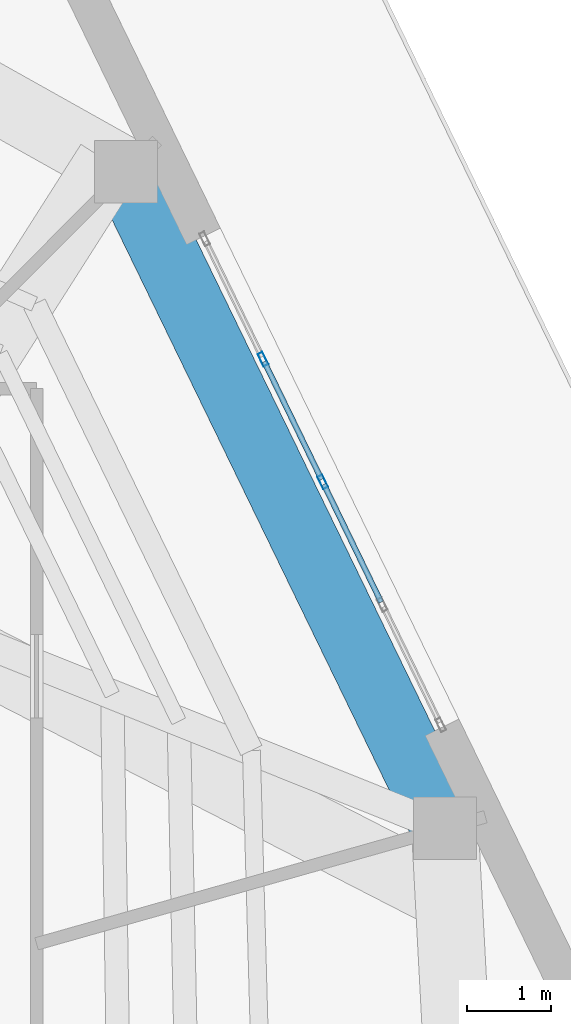
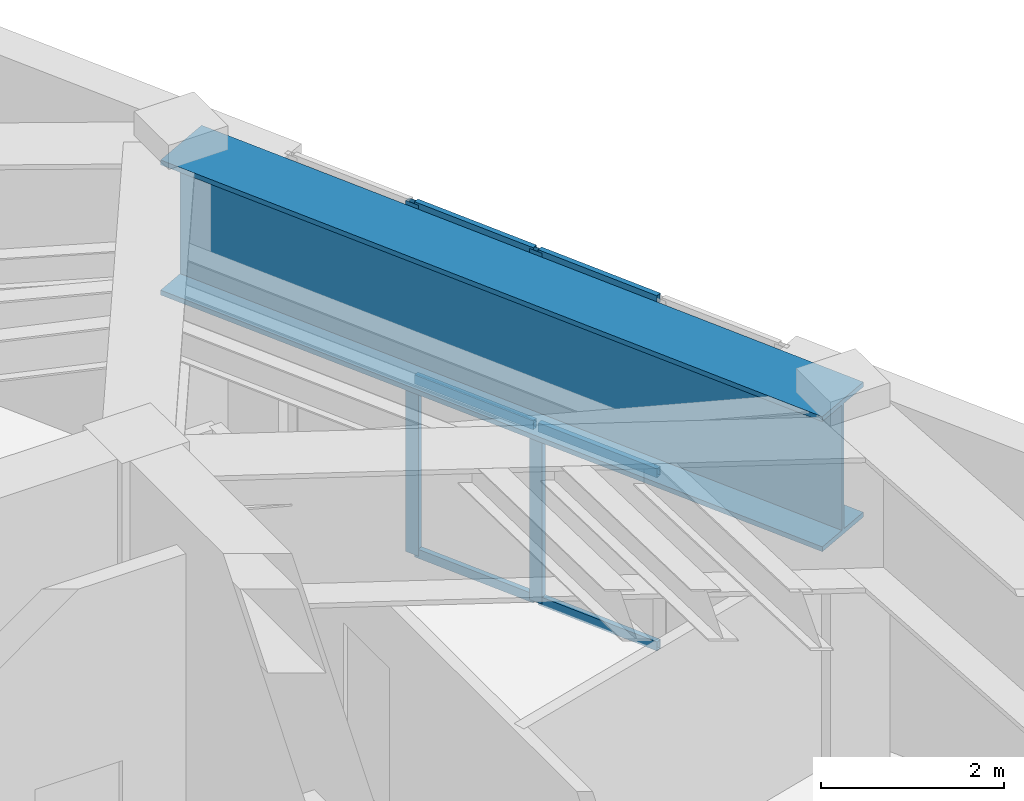
# One storey, part 14 of 24: 8 members, 1 beam, 1 element without a shape of its own.
"""IFC4 building model written with IfcOpenShell, lengths in metres."""

import ifcopenshell
import ifcopenshell.guid

model = None  # the IFC model being written
_history = None  # IfcOwnerHistory: only IFC2X3 demands one
_inside = {}  # id of a spatial element -> (the spatial element, [elements in it])
_under = {}  # id of a project, library or spatial element -> (it, [spatial elements below it])
_declared = {}  # id of a project -> (the project, [libraries it declares])
_typed = {}  # id of a type object -> (the type object, [elements of that type])
_made_of = {}  # id of a material, layer set ... -> (it, [elements and type objects made of it])


def new_model(schema):
    """Start an empty IFC model of exactly this schema.

    Asked for "IFC4X3", IfcOpenShell would pick the latest addendum, in which some entities
    have other attributes; the version numbers below select the first issue.
    IFC2X3 requires an IfcOwnerHistory on every rooted entity: one is made here for all.
    """
    global model, _history
    if schema == "IFC4X3":
        model = ifcopenshell.file(schema_version=(4, 3, 0, 0))
    else:
        model = ifcopenshell.file(schema=schema)
    _inside.clear()
    _under.clear()
    _declared.clear()
    _typed.clear()
    _made_of.clear()
    _history = None
    if model.schema == "IFC2X3":
        org = make("IfcOrganization", Name="unknown")
        user = make(
            "IfcPersonAndOrganization",
            ThePerson=make("IfcPerson", FamilyName="unknown"),
            TheOrganization=org,
        )
        app = make(
            "IfcApplication",
            ApplicationDeveloper=org,
            Version="unknown",
            ApplicationFullName="unknown",
            ApplicationIdentifier="unknown",
        )
        _history = make(
            "IfcOwnerHistory",
            OwningUser=user,
            OwningApplication=app,
            ChangeAction="ADDED",
            CreationDate=0,
        )
    return model


def make(cls, **values):
    """One entity of the class cls with the attributes given. An attribute that is None is left unset."""
    return model.create_entity(
        cls, **{name: value for name, value in values.items() if value is not None}
    )


def rooted(cls, **values):
    """An entity with a GlobalId (a new one), such as an element, a storey or a relation."""
    return make(cls, GlobalId=ifcopenshell.guid.new(), OwnerHistory=_history, **values)


def si_unit(unit_type, name, prefix=None):
    """IfcSIUnit, for example si_unit("LENGTHUNIT", "METRE", prefix="MILLI")."""
    return make("IfcSIUnit", UnitType=unit_type, Prefix=prefix, Name=name)


def assignment(units):
    """IfcUnitAssignment: the units of a project."""
    return None if units is None else make("IfcUnitAssignment", Units=units)


def point(xyz):
    """IfcCartesianPoint."""
    return None if xyz is None else make("IfcCartesianPoint", Coordinates=xyz)


def direction(xyz):
    """IfcDirection."""
    return None if xyz is None else make("IfcDirection", DirectionRatios=xyz)


def frame(location, z_axis=None, x_axis=None):
    """IfcAxis2Placement3D, a coordinate frame: its origin and axes. An axis left out is left unset."""
    return make(
        "IfcAxis2Placement3D",
        Location=point(location),
        Axis=direction(z_axis),
        RefDirection=direction(x_axis),
    )


def frame_2d(location, x_axis=None):
    """IfcAxis2Placement2D, a coordinate frame in the plane: its origin and x axis."""
    return make(
        "IfcAxis2Placement2D", Location=point(location), RefDirection=direction(x_axis)
    )


def origin():
    """The frame at (0, 0, 0) with its axes left unset."""
    return frame((0.0, 0.0, 0.0))


def origin_2d():
    """The frame at (0, 0) in the plane with its x axis left unset."""
    return frame_2d((0.0, 0.0))


def place(relative_to, where):
    """IfcLocalPlacement: puts the frame where relative to a parent placement (None: the world)."""
    return make(
        "IfcLocalPlacement", PlacementRelTo=relative_to, RelativePlacement=where
    )


def context(
    kind, dimensions, precision=None, world=None, true_north=None, identifier=None
):
    """IfcGeometricRepresentationContext, for example the 3D "Model" context."""
    return make(
        "IfcGeometricRepresentationContext",
        ContextIdentifier=identifier,
        ContextType=kind,
        CoordinateSpaceDimension=dimensions,
        Precision=precision,
        WorldCoordinateSystem=world,
        TrueNorth=true_north,
    )


def subcontext(parent, identifier, kind, view, scale=None):
    """IfcGeometricRepresentationSubContext, for example "Body" below "Model"."""
    return make(
        "IfcGeometricRepresentationSubContext",
        ContextIdentifier=identifier,
        ContextType=kind,
        ParentContext=parent,
        TargetScale=scale,
        TargetView=view,
    )


def project(units=None, contexts=None):
    """IfcProject with its units and contexts."""
    return rooted(
        "IfcProject",
        Name="project",
        RepresentationContexts=contexts,
        UnitsInContext=assignment(units),
    )


def spatial(cls, under=None, at=None, **own):
    """A site, building, storey or space (cls), placed at a placement, below another one or the project."""
    s = rooted(cls, ObjectPlacement=at, **own)
    if under is not None:
        _under.setdefault(under.id(), (under, []))[1].append(s)
    return s


def profile(cls, at=None, kind="AREA", **sizes):
    """A parametric profile (cls). Its sizes go by their IFC names, for example OverallWidth=200.0."""
    return make(cls, ProfileType=kind, Position=at, **sizes)


def hollow_rectangle(**sizes):
    """IfcRectangleHollowProfileDef."""
    return profile("IfcRectangleHollowProfileDef", **sizes)


def i_section(**sizes):
    """IfcIShapeProfileDef."""
    return profile("IfcIShapeProfileDef", **sizes)


def extrude(swept, where, along, depth):
    """IfcExtrudedAreaSolid: the profile swept, set in the frame where, extruded along a direction by depth."""
    return make(
        "IfcExtrudedAreaSolid",
        SweptArea=swept,
        Position=where,
        ExtrudedDirection=direction(along),
        Depth=depth,
    )


def shape(context_of_items, identifier, shape_type, items):
    """IfcShapeRepresentation: the items that make up one representation, for example the "Body"."""
    return make(
        "IfcShapeRepresentation",
        ContextOfItems=context_of_items,
        RepresentationIdentifier=identifier,
        RepresentationType=shape_type,
        Items=items,
    )


def material(Name=None, Category=None):
    """IfcMaterial."""
    return make("IfcMaterial", Name=Name, Category=Category)


def layer(
    of_material, thickness, ventilated=None, Name=None, Category=None, Priority=None
):
    """IfcMaterialLayer: one layer of a wall or slab, of a material (None: an air gap)."""
    return make(
        "IfcMaterialLayer",
        Material=of_material,
        LayerThickness=thickness,
        IsVentilated=ventilated,
        Name=Name,
        Category=Category,
        Priority=Priority,
    )


def layer_set(layers, Name=None):
    """IfcMaterialLayerSet."""
    return make("IfcMaterialLayerSet", MaterialLayers=layers, LayerSetName=Name)


def material_profile(
    of_material, cross_section, Name=None, Category=None, Priority=None
):
    """IfcMaterialProfile: a cross section and its material."""
    return make(
        "IfcMaterialProfile",
        Name=Name,
        Material=of_material,
        Profile=cross_section,
        Priority=Priority,
        Category=Category,
    )


def profile_set(profiles, Name=None, composite=None):
    """IfcMaterialProfileSet."""
    return make(
        "IfcMaterialProfileSet",
        Name=Name,
        MaterialProfiles=profiles,
        CompositeProfile=composite,
    )


def made_of(thing, what):
    """Note that an element or type object is made of a material, layer set ...; save() writes the relation."""
    if what is not None:
        _made_of.setdefault(what.id(), (what, []))[1].append(thing)
    return thing


def type_object(cls, material=None, **own):
    """A type object (cls), such as IfcWallType, which elements share."""
    return made_of(rooted(cls, **own), material)


def element(
    cls,
    number,
    at=None,
    inside=None,
    cuts=None,
    type_object=None,
    material=None,
    context=None,
    identifier="Body",
    shape_type=None,
    held_by="IfcProductDefinitionShape",
    body=None,
    shapes=None,
    **own,
):
    """One element of the class cls, such as IfcWall. Its Tag is "e" and its number.

    at: its placement. inside: the storey or other place that contains it. cuts: it is an
    opening in that element (IfcRelVoidsElement). A single representation is given by context,
    identifier, shape_type and body (its items); several are given by shapes. held_by: the class
    of the entity that holds the representations. save() writes the other relations.
    """
    e = rooted(cls, Tag="e%d" % number, ObjectPlacement=at, **own)
    if body is not None:
        shapes = [shape(context, identifier, shape_type, body)]
    if shapes is not None:
        e.Representation = make(held_by, Representations=shapes)
    if inside is not None:
        _inside.setdefault(inside.id(), (inside, []))[1].append(e)
    if cuts is not None:
        rooted(
            "IfcRelVoidsElement", RelatingBuildingElement=cuts, RelatedOpeningElement=e
        )
    if type_object is not None:
        _typed.setdefault(type_object.id(), (type_object, []))[1].append(e)
    return made_of(e, material)


def aggregate(whole, parts):
    """IfcRelAggregates: a whole, such as a stair, and the parts it consists of."""
    return rooted("IfcRelAggregates", RelatingObject=whole, RelatedObjects=parts)


def save(model, path):
    """Write the relations noted so far, then the file.

    IfcRelAggregates (storeys below a building ...), IfcRelContainedInSpatialStructure (elements
    in a storey), IfcRelDefinesByType, IfcRelAssociatesMaterial and IfcRelDeclares: one each for
    every whole, place, type object, material and project.
    """
    for whole, parts in _under.values():
        aggregate(whole, parts)
    for where, things in _inside.values():
        rooted(
            "IfcRelContainedInSpatialStructure",
            RelatedElements=things,
            RelatingStructure=where,
        )
    for kind, things in _typed.values():
        rooted("IfcRelDefinesByType", RelatedObjects=things, RelatingType=kind)
    for what, things in _made_of.values():
        rooted("IfcRelAssociatesMaterial", RelatedObjects=things, RelatingMaterial=what)
    for by, libraries in _declared.values():
        rooted("IfcRelDeclares", RelatingContext=by, RelatedDefinitions=libraries)
    model.write(path)


model = new_model("IFC4")

# Units and contexts
model_context = context("Model", 3, precision=1e-05, world=origin(), true_north=direction((0.0, 1.0)))
body_context = subcontext(model_context, "Body", "Model", "MODEL_VIEW")
ifc_project = project(units=[si_unit("LENGTHUNIT", "METRE"), si_unit("AREAUNIT", "SQUARE_METRE"), si_unit("VOLUMEUNIT", "CUBIC_METRE"), si_unit("PLANEANGLEUNIT", "RADIAN"), si_unit("MASSUNIT", "GRAM", prefix="KILO")], contexts=[model_context])

# Site, building, storey
site_placement = place(None, origin())
site = spatial("IfcSite", under=ifc_project, at=site_placement, CompositionType="ELEMENT")
building_placement = place(site_placement, origin())
building = spatial("IfcBuilding", under=site, at=building_placement, Name="Kilnhurst Terrace Hotel", CompositionType="ELEMENT")
storey_placement = place(building_placement, frame((0.0, 0.0, 305.39990234375)))
storey = spatial("IfcBuildingStorey", under=building, at=storey_placement, Name="L76", CompositionType="ELEMENT", Elevation=305.39990234375)

# Curtain wall, members
ifc_material_1 = material(Name="Anodized Aluminium Alloy 6063-T6 and Low-E Glass", Category="aluminium")
ifc_layer = layer(ifc_material_1, 0.219970703125, Name="Anodized Aluminium Alloy 6063-T6 and Low-E Glass")
ifc_layer_set = layer_set([ifc_layer], Name="Anodized Aluminium Alloy 6063-T6 and Low-E Glass")
curtain_wall_type = type_object("IfcCurtainWallType", Name="CW-OBS-CROWN", PredefinedType="NOTDEFINED", material=ifc_layer_set)
curtain_wall_placement = place(storey_placement, origin())
curtain_wall = element("IfcCurtainWall", 1, at=curtain_wall_placement, inside=storey, type_object=curtain_wall_type, Name="L76 Curtain Wall CW-L76-F3-1", PredefinedType="NOTDEFINED")
ifc_material_2 = material(Name="Extruded Aluminium Alloy 6063-T6", Category="aluminium")
ifc_material_profile_1 = material_profile(ifc_material_2, hollow_rectangle(XDim=0.06494140625, YDim=0.1650390625, WallThickness=0.00341796875, at=origin_2d()), Name="CWM65X165")
ifc_profile_set_1 = profile_set([ifc_material_profile_1], Name="Extruded Aluminium Alloy 6063-T6")
member_type_1 = type_object("IfcMemberType", Name="MEM-CWM65X165", PredefinedType="MULLION", material=ifc_profile_set_1)
member_1_placement = place(storey_placement, frame((14.770263671875, 8.7353515625, 0.0), z_axis=(0.0, 0.0, 1.0), x_axis=(-0.899435709395, -0.437053091357, 0.0)))
member_1 = element("IfcMember", 2, at=member_1_placement, type_object=member_type_1, Name="CWO-6 mullion 3", PredefinedType="MULLION", context=body_context, shape_type="SweptSolid", body=[
    extrude(hollow_rectangle(XDim=0.06494140625, YDim=0.1650390625, WallThickness=0.00341796875, at=origin_2d()), origin(), (0.0, 0.0, 1.0), 4.68017578125),
])
member_2_placement = place(storey_placement, frame((14.05712890625, 10.202880859375, 0.0), z_axis=(0.0, 0.0, 1.0), x_axis=(-0.899435709395, -0.437053091357, 0.0)))
member_2 = element("IfcMember", 3, at=member_2_placement, type_object=member_type_1, Name="CWO-6 mullion 4", PredefinedType="MULLION", context=body_context, shape_type="SweptSolid", body=[
    extrude(hollow_rectangle(XDim=0.06494140625, YDim=0.1650390625, WallThickness=0.00341796875, at=origin_2d()), origin(), (0.0, 0.0, 1.0), 4.68017578125),
])
ifc_material_profile_2 = material_profile(ifc_material_2, hollow_rectangle(XDim=0.06494140625, YDim=0.1201171875, WallThickness=0.00341796875, at=origin_2d()), Name="CWT65X120")
ifc_profile_set_2 = profile_set([ifc_material_profile_2], Name="Extruded Aluminium Alloy 6063-T6")
member_type_2 = type_object("IfcMemberType", Name="MEM-CWT65X120", PredefinedType="USERDEFINED", material=ifc_profile_set_2)
member_3_placement = place(storey_placement, frame((15.468994140625, 7.297119140625, 0.03271484375), z_axis=(-0.437022859029, 0.899450399236, 0.0), x_axis=(-0.899450399236, -0.437022859029, 0.0)))
member_3 = element("IfcMember", 4, at=member_3_placement, type_object=member_type_2, Name="CWO-6 transom 2.1", ObjectType="TRANSOM", PredefinedType="USERDEFINED", context=body_context, shape_type="SweptSolid", body=[
    extrude(hollow_rectangle(XDim=0.06494140625, YDim=0.1201171875, WallThickness=0.00341796875, at=origin_2d()), origin(), (0.0, 0.0, 1.0), 1.56640625),
])
member_4_placement = place(storey_placement, frame((15.468994140625, 7.297119140625, 2.340087890625), z_axis=(-0.437022859029, 0.899450399236, 0.0), x_axis=(-0.899450399236, -0.437022859029, 0.0)))
member_4 = element("IfcMember", 5, at=member_4_placement, type_object=member_type_2, Name="CWO-6 transom 2.2", ObjectType="TRANSOM", PredefinedType="USERDEFINED", context=body_context, shape_type="SweptSolid", body=[
    extrude(hollow_rectangle(XDim=0.06494140625, YDim=0.1201171875, WallThickness=0.00341796875, at=origin_2d()), origin(), (0.0, 0.0, 1.0), 1.56640625),
])
member_5_placement = place(storey_placement, frame((15.468994140625, 7.297119140625, 4.647705078125), z_axis=(-0.437022859029, 0.899450399236, 0.0), x_axis=(-0.899450399236, -0.437022859029, 0.0)))
member_5 = element("IfcMember", 6, at=member_5_placement, type_object=member_type_2, Name="CWO-6 transom 2.3", ObjectType="TRANSOM", PredefinedType="USERDEFINED", context=body_context, shape_type="SweptSolid", body=[
    extrude(hollow_rectangle(XDim=0.06494140625, YDim=0.1201171875, WallThickness=0.00341796875, at=origin_2d()), origin(), (0.0, 0.0, 1.0), 1.56640625),
])
member_6_placement = place(storey_placement, frame((14.756103515625, 8.7646484375, 0.03271484375), z_axis=(-0.437148936129, 0.899389130267, 0.0), x_axis=(-0.899389130267, -0.437148936129, 0.0)))
member_6 = element("IfcMember", 7, at=member_6_placement, type_object=member_type_2, Name="CWO-6 transom 3.1", ObjectType="TRANSOM", PredefinedType="USERDEFINED", context=body_context, shape_type="SweptSolid", body=[
    extrude(hollow_rectangle(XDim=0.06494140625, YDim=0.1201171875, WallThickness=0.00341796875, at=origin_2d()), origin(), (0.0, 0.0, 1.0), 1.566650390625),
])
member_7_placement = place(storey_placement, frame((14.756103515625, 8.7646484375, 2.340087890625), z_axis=(-0.437148936129, 0.899389130267, 0.0), x_axis=(-0.899389130267, -0.437148936129, 0.0)))
member_7 = element("IfcMember", 8, at=member_7_placement, type_object=member_type_2, Name="CWO-6 transom 3.2", ObjectType="TRANSOM", PredefinedType="USERDEFINED", context=body_context, shape_type="SweptSolid", body=[
    extrude(hollow_rectangle(XDim=0.06494140625, YDim=0.1201171875, WallThickness=0.00341796875, at=origin_2d()), origin(), (0.0, 0.0, 1.0), 1.566650390625),
])
member_8_placement = place(storey_placement, frame((14.756103515625, 8.7646484375, 4.647705078125), z_axis=(-0.437148936129, 0.899389130267, 0.0), x_axis=(-0.899389130267, -0.437148936129, 0.0)))
member_8 = element("IfcMember", 9, at=member_8_placement, type_object=member_type_2, Name="CWO-6 transom 3.3", ObjectType="TRANSOM", PredefinedType="USERDEFINED", context=body_context, shape_type="SweptSolid", body=[
    extrude(hollow_rectangle(XDim=0.06494140625, YDim=0.1201171875, WallThickness=0.00341796875, at=origin_2d()), origin(), (0.0, 0.0, 1.0), 1.566650390625),
])
aggregate(curtain_wall, [member_1, member_2, member_3, member_4, member_5, member_6, member_7, member_8])

# Beam
ifc_material_3 = material(Name="Steel ASTM A572 Grade 50", Category="steel")
ifc_material_profile_3 = material_profile(ifc_material_3, i_section(OverallWidth=0.800048828125, OverallDepth=1.800048828125, WebThickness=0.0400390625, FlangeThickness=0.06494140625, at=origin_2d()), Name="PG1800X800")
ifc_profile_set_3 = profile_set([ifc_material_profile_3], Name="Steel ASTM A572 Grade 50")
beam_type = type_object("IfcBeamType", Name="TG-STEP-1800", PredefinedType="USERDEFINED", material=ifc_profile_set_3)
beam_placement = place(storey_placement, frame((16.23193359375, 4.594970703125, 3.780029296875), z_axis=(-0.437090234611, 0.899417659826, 0.0), x_axis=(-0.899417659826, -0.437090234611, 0.0)))
element("IfcBeam", 10, at=beam_placement, inside=storey, type_object=beam_type, Name="L76 Zone Step Perimeter Transfer Girder 5", ObjectType="GIRDER", PredefinedType="USERDEFINED", context=body_context, shape_type="SweptSolid", body=[
    extrude(i_section(OverallWidth=0.800048828125, OverallDepth=1.800048828125, WebThickness=0.0400390625, FlangeThickness=0.06494140625, at=origin_2d()), origin(), (0.0, 0.0, 1.0), 8.725830078125),
])

save(model, "model.ifc")
